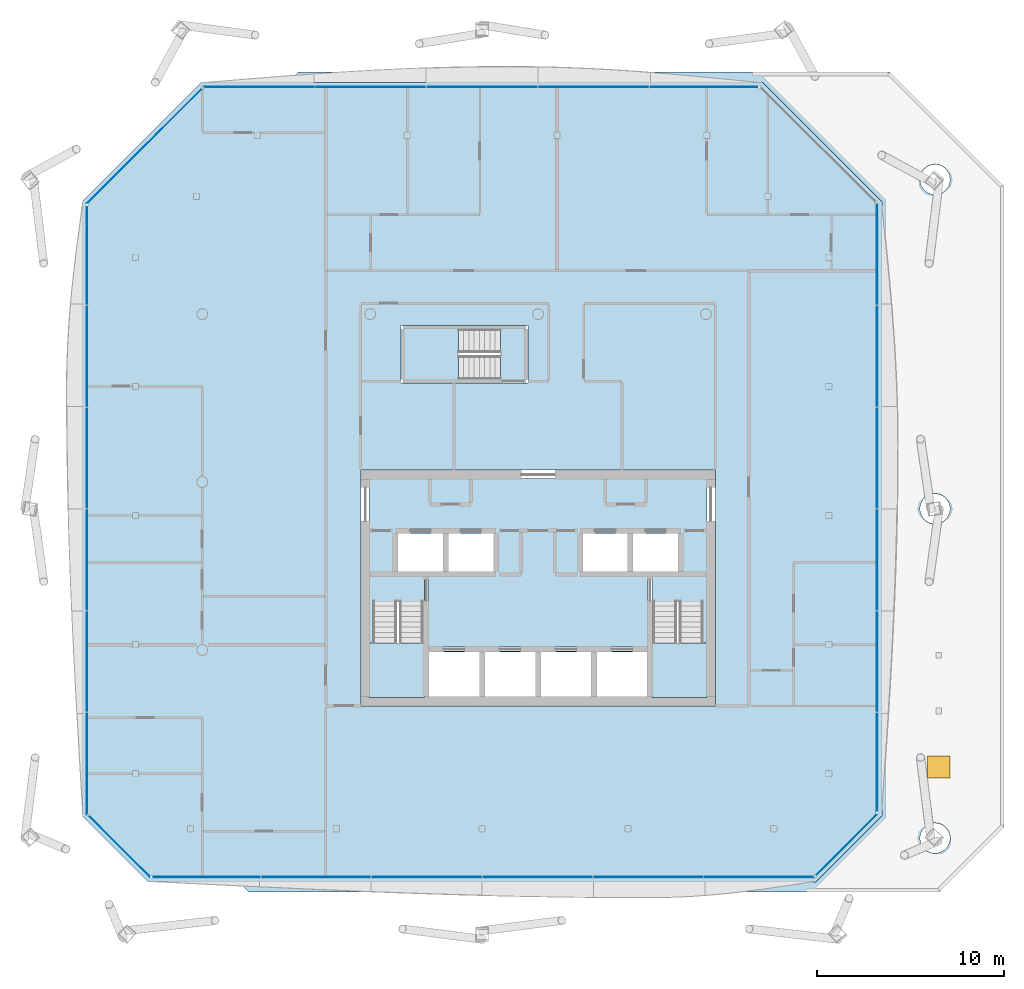
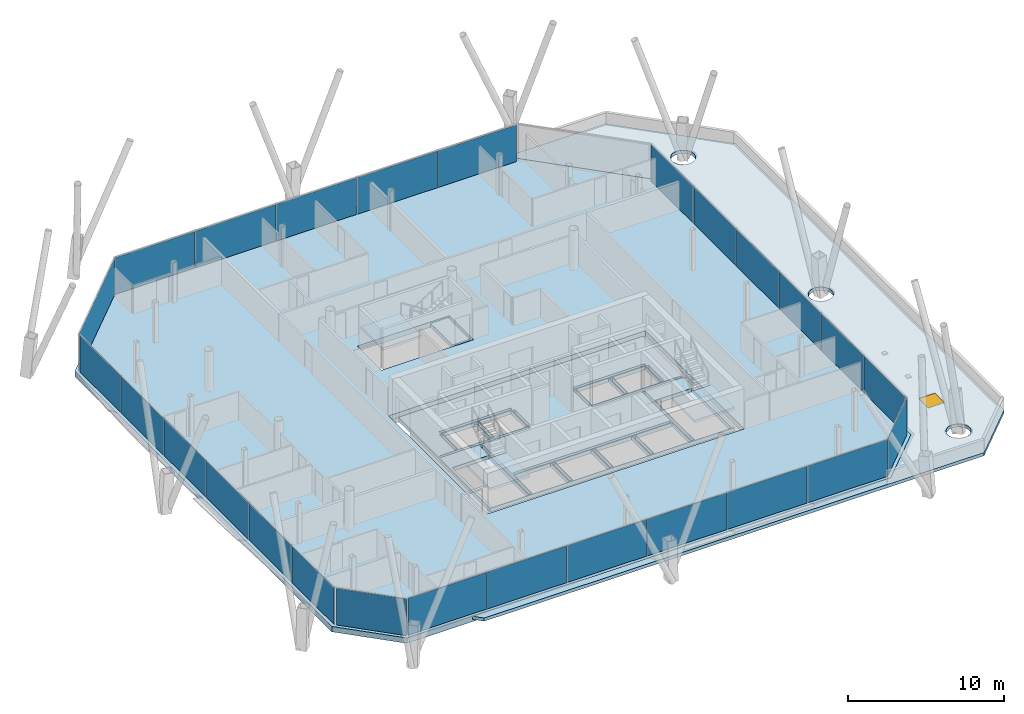
# One storey, part 12 of 21: 26 plates, 7 slabs, 1 window, 1 opening, 10 elements without a shape of their own.
"""IFC4 building model written with IfcOpenShell, lengths in metres."""

from ifc_helpers import new_model, si_unit, direction, frame, origin, origin_2d, place, context, subcontext, project, spatial, polyline, rectangle, outline, extrude, material, layer, layer_set, type_object, element, fill, aggregate, save


model = new_model("IFC4")

# Units and contexts
model_context = context("Model", 3, precision=1e-05, world=origin(), true_north=direction((0.0, 1.0)))
body_context = subcontext(model_context, "Body", "Model", "MODEL_VIEW")
ifc_project = project(units=[si_unit("LENGTHUNIT", "METRE"), si_unit("AREAUNIT", "SQUARE_METRE"), si_unit("VOLUMEUNIT", "CUBIC_METRE"), si_unit("PLANEANGLEUNIT", "RADIAN"), si_unit("MASSUNIT", "GRAM", prefix="KILO")], contexts=[model_context])

# Site, building, storey
site_placement = place(None, origin())
site = spatial("IfcSite", under=ifc_project, at=site_placement, CompositionType="ELEMENT")
building_placement = place(site_placement, origin())
building = spatial("IfcBuilding", under=site, at=building_placement, Name="Tskaro Facet Tower", CompositionType="ELEMENT")
storey_placement = place(building_placement, frame((0.0, 0.0, 172.199951171875)))
storey = spatial("IfcBuildingStorey", under=building, at=storey_placement, Name="L42", CompositionType="ELEMENT", Elevation=172.199951171875)

# Curtain wall, plates
ifc_material_1 = material(Name="Bronze anodised aluminium 6063-T6", Category="aluminium")
curtain_wall_type = type_object("IfcCurtainWallType", Name="Bronze residence curtain wall (FW3)", PredefinedType="NOTDEFINED", material=ifc_material_1)
curtain_wall_1_placement = place(storey_placement, origin())
curtain_wall_1 = element("IfcCurtainWall", 1, at=curtain_wall_1_placement, inside=storey, type_object=curtain_wall_type, Name="FW3 south facet L42", PredefinedType="NOTDEFINED")
ifc_material_2 = material(Name="Bronze low-iron glass", Category="glass")
ifc_layer_1 = layer(ifc_material_2, 0.028076171875, Name="Bronze low-iron glass")
ifc_layer_set_1 = layer_set([ifc_layer_1], Name="Bronze low-iron glass")
plate_type = type_object("IfcPlateType", Name="FW3 bronze-tinted unit glazing 28", PredefinedType="CURTAIN_PANEL", material=ifc_layer_set_1)
plate_1_placement = place(storey_placement, frame((-17.77587890625, -21.176025390625, 0.0), z_axis=(0.0, 0.0, 1.0), x_axis=(1.0, 0.0, 0.0)))
plate_1 = element("IfcPlate", 2, at=plate_1_placement, type_object=plate_type, Name="FW3 south glazing 1.1", PredefinedType="CURTAIN_PANEL", context=body_context, shape_type="SweptSolid", body=[
    extrude(rectangle(XDim=5.768310546875, YDim=0.028076171875, at=origin_2d()), origin(), (0.0, 0.0, 1.0), 2.860107421875),
])
plate_2_placement = place(storey_placement, frame((-11.89990234375, -21.176025390625, 0.0), z_axis=(0.0, 0.0, 1.0), x_axis=(1.0, 0.0, 0.0)))
plate_2 = element("IfcPlate", 3, at=plate_2_placement, type_object=plate_type, Name="FW3 south glazing 2.1", PredefinedType="CURTAIN_PANEL", context=body_context, shape_type="SweptSolid", body=[
    extrude(rectangle(XDim=5.88330078125, YDim=0.028076171875, at=origin_2d()), origin(), (0.0, 0.0, 1.0), 2.860107421875),
])
plate_3_placement = place(storey_placement, frame((-5.966552734375, -21.176025390625, 0.0), z_axis=(0.0, 0.0, 1.0), x_axis=(1.0, 0.0, 0.0)))
plate_3 = element("IfcPlate", 4, at=plate_3_placement, type_object=plate_type, Name="FW3 south glazing 3.1", PredefinedType="CURTAIN_PANEL", context=body_context, shape_type="SweptSolid", body=[
    extrude(rectangle(XDim=5.88330078125, YDim=0.028076171875, at=origin_2d()), origin(), (0.0, 0.0, 1.0), 2.860107421875),
])
plate_4_placement = place(storey_placement, frame((-0.033447265625, -21.176025390625, 0.0), z_axis=(0.0, 0.0, 1.0), x_axis=(1.0, 0.0, 0.0)))
plate_4 = element("IfcPlate", 5, at=plate_4_placement, type_object=plate_type, Name="FW3 south glazing 4.1", PredefinedType="CURTAIN_PANEL", context=body_context, shape_type="SweptSolid", body=[
    extrude(rectangle(XDim=5.88330078125, YDim=0.028076171875, at=origin_2d()), origin(), (0.0, 0.0, 1.0), 2.860107421875),
])
plate_5_placement = place(storey_placement, frame((5.89990234375, -21.176025390625, 0.0), z_axis=(0.0, 0.0, 1.0), x_axis=(1.0, 0.0, 0.0)))
plate_5 = element("IfcPlate", 6, at=plate_5_placement, type_object=plate_type, Name="FW3 south glazing 5.1", PredefinedType="CURTAIN_PANEL", context=body_context, shape_type="SweptSolid", body=[
    extrude(rectangle(XDim=5.88330078125, YDim=0.028076171875, at=origin_2d()), origin(), (0.0, 0.0, 1.0), 2.860107421875),
])
plate_6_placement = place(storey_placement, frame((11.845947265625, -21.176025390625, 0.0), z_axis=(0.0, 0.0, 1.0), x_axis=(1.0, 0.0, 0.0)))
plate_6 = element("IfcPlate", 7, at=plate_6_placement, type_object=plate_type, Name="FW3 south glazing 6.1", PredefinedType="CURTAIN_PANEL", context=body_context, shape_type="SweptSolid", body=[
    extrude(rectangle(XDim=5.908447265625, YDim=0.028076171875, at=origin_2d()), origin(), (0.0, 0.0, 1.0), 2.860107421875),
])
aggregate(curtain_wall_1, [plate_1, plate_2, plate_3, plate_4, plate_5, plate_6])

# Curtain wall, plate
curtain_wall_2_placement = place(storey_placement, origin())
curtain_wall_2 = element("IfcCurtainWall", 8, at=curtain_wall_2_placement, inside=storey, type_object=curtain_wall_type, Name="FW3 south-east facet L42", PredefinedType="NOTDEFINED")
plate_7_placement = place(storey_placement, frame((16.53759765625, -19.4384765625, 0.0), z_axis=(0.0, 0.0, 1.0), x_axis=(0.707106781187, 0.707106781187, 0.0)))
plate_7 = element("IfcPlate", 9, at=plate_7_placement, type_object=plate_type, Name="FW3 south-east glazing 1.1", PredefinedType="CURTAIN_PANEL", context=body_context, shape_type="SweptSolid", body=[
    extrude(rectangle(XDim=4.63427734375, YDim=0.028076171875, at=origin_2d()), origin(), (0.0, 0.0, 1.0), 2.860107421875),
])
aggregate(curtain_wall_2, [plate_7])

# Curtain wall, plates
curtain_wall_3_placement = place(storey_placement, origin())
curtain_wall_3 = element("IfcCurtainWall", 10, at=curtain_wall_3_placement, inside=storey, type_object=curtain_wall_type, Name="FW3 east facet L42", PredefinedType="NOTDEFINED")
plate_8_placement = place(storey_placement, frame((18.176025390625, -15.014892578125, 0.0), z_axis=(0.0, 0.0, 1.0), x_axis=(0.0, 1.0, 0.0)))
plate_8 = element("IfcPlate", 11, at=plate_8_placement, type_object=plate_type, Name="FW3 east glazing 1.1", PredefinedType="CURTAIN_PANEL", context=body_context, shape_type="SweptSolid", body=[
    extrude(rectangle(XDim=5.290283203125, YDim=0.028076171875, at=origin_2d()), origin(), (0.0, 0.0, 1.0), 2.860107421875),
])
plate_9_placement = place(storey_placement, frame((18.176025390625, -9.6171875, 0.0), z_axis=(0.0, 0.0, 1.0), x_axis=(0.0, 1.0, 0.0)))
plate_9 = element("IfcPlate", 12, at=plate_9_placement, type_object=plate_type, Name="FW3 east glazing 2.1", PredefinedType="CURTAIN_PANEL", context=body_context, shape_type="SweptSolid", body=[
    extrude(rectangle(XDim=5.4052734375, YDim=0.028076171875, at=origin_2d()), origin(), (0.0, 0.0, 1.0), 2.860107421875),
])
plate_10_placement = place(storey_placement, frame((18.176025390625, -4.162109375, 0.0), z_axis=(0.0, 0.0, 1.0), x_axis=(0.0, 1.0, 0.0)))
plate_10 = element("IfcPlate", 13, at=plate_10_placement, type_object=plate_type, Name="FW3 east glazing 3.1", PredefinedType="CURTAIN_PANEL", context=body_context, shape_type="SweptSolid", body=[
    extrude(rectangle(XDim=5.4052734375, YDim=0.028076171875, at=origin_2d()), origin(), (0.0, 0.0, 1.0), 2.860107421875),
])
plate_11_placement = place(storey_placement, frame((18.176025390625, 1.29296875, 0.0), z_axis=(0.0, 0.0, 1.0), x_axis=(0.0, 1.0, 0.0)))
plate_11 = element("IfcPlate", 14, at=plate_11_placement, type_object=plate_type, Name="FW3 east glazing 4.1", PredefinedType="CURTAIN_PANEL", context=body_context, shape_type="SweptSolid", body=[
    extrude(rectangle(XDim=5.4052734375, YDim=0.028076171875, at=origin_2d()), origin(), (0.0, 0.0, 1.0), 2.860107421875),
])
plate_12_placement = place(storey_placement, frame((18.176025390625, 6.748291015625, 0.0), z_axis=(0.0, 0.0, 1.0), x_axis=(0.0, 1.0, 0.0)))
plate_12 = element("IfcPlate", 15, at=plate_12_placement, type_object=plate_type, Name="FW3 east glazing 5.1", PredefinedType="CURTAIN_PANEL", context=body_context, shape_type="SweptSolid", body=[
    extrude(rectangle(XDim=5.4052734375, YDim=0.028076171875, at=origin_2d()), origin(), (0.0, 0.0, 1.0), 2.860107421875),
])
plate_13_placement = place(storey_placement, frame((18.176025390625, 12.2158203125, 0.0), z_axis=(0.0, 0.0, 1.0), x_axis=(0.0, 1.0, 0.0)))
plate_13 = element("IfcPlate", 16, at=plate_13_placement, type_object=plate_type, Name="FW3 east glazing 6.1", PredefinedType="CURTAIN_PANEL", context=body_context, shape_type="SweptSolid", body=[
    extrude(rectangle(XDim=5.43017578125, YDim=0.028076171875, at=origin_2d()), origin(), (0.0, 0.0, 1.0), 2.860107421875),
])
aggregate(curtain_wall_3, [plate_8, plate_9, plate_10, plate_11, plate_12, plate_13])

curtain_wall_4_placement = place(storey_placement, origin())
curtain_wall_4 = element("IfcCurtainWall", 17, at=curtain_wall_4_placement, inside=storey, type_object=curtain_wall_type, Name="FW3 north facet L42", PredefinedType="NOTDEFINED")
plate_14_placement = place(storey_placement, frame((8.88720703125, 21.176025390625, 0.0), z_axis=(0.0, 0.0, 1.0), x_axis=(-1.0, 0.0, 0.0)))
plate_14 = element("IfcPlate", 18, at=plate_14_placement, type_object=plate_type, Name="FW3 north glazing 1.1", PredefinedType="CURTAIN_PANEL", context=body_context, shape_type="SweptSolid", body=[
    extrude(rectangle(XDim=5.807373046875, YDim=0.028076171875, at=origin_2d()), origin(), (0.0, 0.0, 1.0), 2.860107421875),
])
plate_15_placement = place(storey_placement, frame((2.972412109375, 21.176025390625, 0.0), z_axis=(0.0, 0.0, 1.0), x_axis=(-1.0, 0.0, 0.0)))
plate_15 = element("IfcPlate", 19, at=plate_15_placement, type_object=plate_type, Name="FW3 north glazing 2.1", PredefinedType="CURTAIN_PANEL", context=body_context, shape_type="SweptSolid", body=[
    extrude(rectangle(XDim=5.92236328125, YDim=0.028076171875, at=origin_2d()), origin(), (0.0, 0.0, 1.0), 2.860107421875),
])
plate_16_placement = place(storey_placement, frame((-3.0, 21.176025390625, 0.0), z_axis=(0.0, 0.0, 1.0), x_axis=(-1.0, 0.0, 0.0)))
plate_16 = element("IfcPlate", 20, at=plate_16_placement, type_object=plate_type, Name="FW3 north glazing 3.1", PredefinedType="CURTAIN_PANEL", context=body_context, shape_type="SweptSolid", body=[
    extrude(rectangle(XDim=5.92236328125, YDim=0.028076171875, at=origin_2d()), origin(), (0.0, 0.0, 1.0), 2.860107421875),
])
plate_17_placement = place(storey_placement, frame((-8.972412109375, 21.176025390625, 0.0), z_axis=(0.0, 0.0, 1.0), x_axis=(-1.0, 0.0, 0.0)))
plate_17 = element("IfcPlate", 21, at=plate_17_placement, type_object=plate_type, Name="FW3 north glazing 4.1", PredefinedType="CURTAIN_PANEL", context=body_context, shape_type="SweptSolid", body=[
    extrude(rectangle(XDim=5.92236328125, YDim=0.028076171875, at=origin_2d()), origin(), (0.0, 0.0, 1.0), 2.860107421875),
])
plate_18_placement = place(storey_placement, frame((-14.957275390625, 21.176025390625, 0.0), z_axis=(0.0, 0.0, 1.0), x_axis=(-1.0, 0.0, 0.0)))
plate_18 = element("IfcPlate", 22, at=plate_18_placement, type_object=plate_type, Name="FW3 north glazing 5.1", PredefinedType="CURTAIN_PANEL", context=body_context, shape_type="SweptSolid", body=[
    extrude(rectangle(XDim=5.947509765625, YDim=0.028076171875, at=origin_2d()), origin(), (0.0, 0.0, 1.0), 2.860107421875),
])
aggregate(curtain_wall_4, [plate_14, plate_15, plate_16, plate_17, plate_18])

# Curtain wall, plate
curtain_wall_5_placement = place(storey_placement, origin())
curtain_wall_5 = element("IfcCurtainWall", 23, at=curtain_wall_5_placement, inside=storey, type_object=curtain_wall_type, Name="FW3 north-west facet L42", PredefinedType="NOTDEFINED")
plate_19_placement = place(storey_placement, frame((-21.10302734375, 18.00390625, 0.0), z_axis=(0.0, 0.0, 1.0), x_axis=(-0.707106781187, -0.707106781187, 0.0)))
plate_19 = element("IfcPlate", 24, at=plate_19_placement, type_object=plate_type, Name="FW3 north-west glazing 1.1", PredefinedType="CURTAIN_PANEL", context=body_context, shape_type="SweptSolid", body=[
    extrude(rectangle(XDim=8.691650390625, YDim=0.028076171875, at=origin_2d()), origin(), (0.0, 0.0, 1.0), 2.860107421875),
])
aggregate(curtain_wall_5, [plate_19])

# Curtain wall, plates
curtain_wall_6_placement = place(storey_placement, origin())
curtain_wall_6 = element("IfcCurtainWall", 25, at=curtain_wall_6_placement, inside=storey, type_object=curtain_wall_type, Name="FW3 west facet L42", PredefinedType="NOTDEFINED")
plate_20_placement = place(storey_placement, frame((-24.176025390625, 12.14599609375, 0.0), z_axis=(0.0, 0.0, 1.0), x_axis=(0.0, -1.0, 0.0)))
plate_20 = element("IfcPlate", 26, at=plate_20_placement, type_object=plate_type, Name="FW3 west glazing 1.1", PredefinedType="CURTAIN_PANEL", context=body_context, shape_type="SweptSolid", body=[
    extrude(rectangle(XDim=5.290283203125, YDim=0.028076171875, at=origin_2d()), origin(), (0.0, 0.0, 1.0), 2.860107421875),
])
plate_21_placement = place(storey_placement, frame((-24.176025390625, 6.748291015625, 0.0), z_axis=(0.0, 0.0, 1.0), x_axis=(0.0, -1.0, 0.0)))
plate_21 = element("IfcPlate", 27, at=plate_21_placement, type_object=plate_type, Name="FW3 west glazing 2.1", PredefinedType="CURTAIN_PANEL", context=body_context, shape_type="SweptSolid", body=[
    extrude(rectangle(XDim=5.4052734375, YDim=0.028076171875, at=origin_2d()), origin(), (0.0, 0.0, 1.0), 2.860107421875),
])
plate_22_placement = place(storey_placement, frame((-24.176025390625, 1.29296875, 0.0), z_axis=(0.0, 0.0, 1.0), x_axis=(0.0, -1.0, 0.0)))
plate_22 = element("IfcPlate", 28, at=plate_22_placement, type_object=plate_type, Name="FW3 west glazing 3.1", PredefinedType="CURTAIN_PANEL", context=body_context, shape_type="SweptSolid", body=[
    extrude(rectangle(XDim=5.4052734375, YDim=0.028076171875, at=origin_2d()), origin(), (0.0, 0.0, 1.0), 2.860107421875),
])
plate_23_placement = place(storey_placement, frame((-24.176025390625, -4.162109375, 0.0), z_axis=(0.0, 0.0, 1.0), x_axis=(0.0, -1.0, 0.0)))
plate_23 = element("IfcPlate", 29, at=plate_23_placement, type_object=plate_type, Name="FW3 west glazing 4.1", PredefinedType="CURTAIN_PANEL", context=body_context, shape_type="SweptSolid", body=[
    extrude(rectangle(XDim=5.4052734375, YDim=0.028076171875, at=origin_2d()), origin(), (0.0, 0.0, 1.0), 2.860107421875),
])
plate_24_placement = place(storey_placement, frame((-24.176025390625, -9.6171875, 0.0), z_axis=(0.0, 0.0, 1.0), x_axis=(0.0, -1.0, 0.0)))
plate_24 = element("IfcPlate", 30, at=plate_24_placement, type_object=plate_type, Name="FW3 west glazing 5.1", PredefinedType="CURTAIN_PANEL", context=body_context, shape_type="SweptSolid", body=[
    extrude(rectangle(XDim=5.4052734375, YDim=0.028076171875, at=origin_2d()), origin(), (0.0, 0.0, 1.0), 2.860107421875),
])
plate_25_placement = place(storey_placement, frame((-24.176025390625, -15.0849609375, 0.0), z_axis=(0.0, 0.0, 1.0), x_axis=(0.0, -1.0, 0.0)))
plate_25 = element("IfcPlate", 31, at=plate_25_placement, type_object=plate_type, Name="FW3 west glazing 6.1", PredefinedType="CURTAIN_PANEL", context=body_context, shape_type="SweptSolid", body=[
    extrude(rectangle(XDim=5.43017578125, YDim=0.028076171875, at=origin_2d()), origin(), (0.0, 0.0, 1.0), 2.860107421875),
])
aggregate(curtain_wall_6, [plate_20, plate_21, plate_22, plate_23, plate_24, plate_25])

# Curtain wall, plate
curtain_wall_7_placement = place(storey_placement, origin())
curtain_wall_7 = element("IfcCurtainWall", 32, at=curtain_wall_7_placement, inside=storey, type_object=curtain_wall_type, Name="FW3 south-west facet L42", PredefinedType="NOTDEFINED")
plate_26_placement = place(storey_placement, frame((-22.4384765625, -19.53759765625, 0.0), z_axis=(0.0, 0.0, 1.0), x_axis=(0.707106781187, -0.707106781187, 0.0)))
plate_26 = element("IfcPlate", 33, at=plate_26_placement, type_object=plate_type, Name="FW3 south-west glazing 1.1", PredefinedType="CURTAIN_PANEL", context=body_context, shape_type="SweptSolid", body=[
    extrude(rectangle(XDim=4.63427734375, YDim=0.028076171875, at=origin_2d()), origin(), (0.0, 0.0, 1.0), 2.860107421875),
])
aggregate(curtain_wall_7, [plate_26])

# Stair, slab
ifc_material_3 = material(Name="Concrete C40/50", Category="concrete")
stair_type = type_object("IfcStairType", Name="ST-TWR", PredefinedType="HALF_TURN_STAIR", material=ifc_material_3)
stair_1_placement = place(storey_placement, origin())
stair_1 = element("IfcStair", 34, at=stair_1_placement, inside=storey, type_object=stair_type, Name="L42 Exit stair 1", PredefinedType="HALF_TURN_STAIR")
ifc_layer_2 = layer(ifc_material_3, 0.199951171875, Name="Concrete C40/50")
ifc_layer_set_2 = layer_set([ifc_layer_2], Name="Concrete C40/50")
slab_type_1 = type_object("IfcSlabType", Name="SL-LANDING", PredefinedType="LANDING", material=ifc_layer_set_2)
slab_1_placement = place(storey_placement, frame((0.0, 0.0, 1.375)))
slab_1 = element("IfcSlab", 35, at=slab_1_placement, type_object=slab_type_1, Name="ST-1 landing 1", PredefinedType="LANDING", context=body_context, shape_type="SweptSolid", body=[
    extrude(outline(polyline([(-9.050048828125, -11.550048828125), (-6.10009765625, -11.550048828125), (-6.10009765625, -8.614990234375), (-9.050048828125, -8.614990234375), (-9.050048828125, -11.550048828125)])), origin(), (0.0, 0.0, 1.0), 0.199951171875),
])
aggregate(stair_1, [slab_1])

stair_2_placement = place(storey_placement, origin())
stair_2 = element("IfcStair", 36, at=stair_2_placement, inside=storey, type_object=stair_type, Name="L42 Exit stair 2", PredefinedType="HALF_TURN_STAIR")
slab_2_placement = place(storey_placement, frame((0.0, 0.0, 1.375)))
slab_2 = element("IfcSlab", 37, at=slab_2_placement, type_object=slab_type_1, Name="ST-2 landing 1", PredefinedType="LANDING", context=body_context, shape_type="SweptSolid", body=[
    extrude(outline(polyline([(6.10009765625, -11.550048828125), (9.050048828125, -11.550048828125), (9.050048828125, -8.614990234375), (6.10009765625, -8.614990234375), (6.10009765625, -11.550048828125)])), origin(), (0.0, 0.0, 1.0), 0.199951171875),
])
aggregate(stair_2, [slab_2])

stair_3_placement = place(storey_placement, origin())
stair_3 = element("IfcStair", 38, at=stair_3_placement, inside=storey, type_object=stair_type, Name="L42 Exit stair 3", PredefinedType="HALF_TURN_STAIR")
slab_3_placement = place(storey_placement, frame((0.0, 0.0, 1.375)))
slab_3 = element("IfcSlab", 39, at=slab_3_placement, type_object=slab_type_1, Name="ST-3 landing 1", PredefinedType="LANDING", context=body_context, shape_type="SweptSolid", body=[
    extrude(outline(polyline([(-7.199951171875, 5.449951171875), (-4.264892578125, 5.449951171875), (-4.264892578125, 8.25), (-7.199951171875, 8.25), (-7.199951171875, 5.449951171875)])), origin(), (0.0, 0.0, 1.0), 0.199951171875),
])
aggregate(stair_3, [slab_3])

# Slabs
ifc_material_4 = material(Name="Concrete C60/75", Category="concrete")
ifc_layer_3 = layer(ifc_material_4, 0.300048828125, Name="Concrete C60/75")
ifc_layer_set_3 = layer_set([ifc_layer_3], Name="Concrete C60/75")
slab_type_2 = type_object("IfcSlabType", Name="SLAB-CORE", PredefinedType="FLOOR", material=ifc_layer_set_3)
slab_4_placement = place(storey_placement, frame((0.0, 0.0, -0.300048828125)))
element("IfcSlab", 40, at=slab_4_placement, inside=storey, type_object=slab_type_2, Name="Core floor slab 1", PredefinedType="FLOOR", context=body_context, shape_type="SweptSolid", body=[
    extrude(outline(polyline([(-9.050048828125, 0.199951171875), (9.050048828125, 0.199951171875), (9.050048828125, 0.10009765625), (9.050048828125, -11.449951171875), (9.050048828125, -11.550048828125), (-9.050048828125, -11.550048828125), (-9.050048828125, -11.449951171875), (-9.050048828125, 0.10009765625), (-9.050048828125, 0.199951171875)]), holes=[polyline([(-5.85009765625, -9.10009765625), (-5.85009765625, -11.5), (-3.14990234375, -11.5), (-3.14990234375, -9.10009765625), (-5.85009765625, -9.10009765625)]), polyline([(-3.10009765625, -11.449951171875), (-2.89990234375, -11.449951171875), (-2.89990234375, -9.14990234375), (-3.10009765625, -9.14990234375), (-3.10009765625, -11.449951171875)]), polyline([(-2.85009765625, -9.10009765625), (-2.85009765625, -11.5), (-0.14990234375, -11.5), (-0.14990234375, -9.10009765625), (-2.85009765625, -9.10009765625)]), polyline([(-6.10009765625, -11.449951171875), (-5.89990234375, -11.449951171875), (-5.89990234375, -5.14990234375), (-6.10009765625, -5.14990234375), (-6.10009765625, -11.449951171875)]), polyline([(-8.949951171875, -5.050048828125), (-2.300048828125, -5.050048828125), (-2.300048828125, -4.85009765625), (-8.949951171875, -4.85009765625), (-8.949951171875, -5.050048828125)]), polyline([(-7.75, -4.75), (-7.550048828125, -4.75), (-7.550048828125, -2.800048828125), (-7.75, -2.800048828125), (-7.75, -4.75)]), polyline([(-5.10009765625, -2.75), (-7.5, -2.75), (-7.5, -4.800048828125), (-5.10009765625, -4.800048828125), (-5.10009765625, -2.75)]), polyline([(-5.050048828125, -4.75), (-4.85009765625, -4.75), (-4.85009765625, -2.800048828125), (-5.050048828125, -2.800048828125), (-5.050048828125, -4.75)]), polyline([(-2.39990234375, -2.75), (-4.800048828125, -2.75), (-4.800048828125, -4.800048828125), (-2.39990234375, -4.800048828125), (-2.39990234375, -2.75)]), polyline([(-2.35009765625, -4.75), (-2.14990234375, -4.75), (-2.14990234375, -2.800048828125), (-2.35009765625, -2.800048828125), (-2.35009765625, -4.75)]), polyline([(-7.60009765625, -2.699951171875), (-2.300048828125, -2.699951171875), (-2.300048828125, -2.5), (-7.60009765625, -2.5), (-7.60009765625, -2.699951171875)]), polyline([(-0.10009765625, -11.449951171875), (0.10009765625, -11.449951171875), (0.10009765625, -9.14990234375), (-0.10009765625, -9.14990234375), (-0.10009765625, -11.449951171875)]), polyline([(0.14990234375, -9.10009765625), (0.14990234375, -11.5), (2.85009765625, -11.5), (2.85009765625, -9.10009765625), (0.14990234375, -9.10009765625)]), polyline([(2.89990234375, -11.449951171875), (3.10009765625, -11.449951171875), (3.10009765625, -9.14990234375), (2.89990234375, -9.14990234375), (2.89990234375, -11.449951171875)]), polyline([(3.14990234375, -9.10009765625), (3.14990234375, -11.5), (5.85009765625, -11.5), (5.85009765625, -9.10009765625), (3.14990234375, -9.10009765625)]), polyline([(-5.800048828125, -9.050048828125), (5.800048828125, -9.050048828125), (5.800048828125, -8.85009765625), (-5.800048828125, -8.85009765625), (-5.800048828125, -9.050048828125)]), polyline([(5.89990234375, -11.449951171875), (6.10009765625, -11.449951171875), (6.10009765625, -5.14990234375), (5.89990234375, -5.14990234375), (5.89990234375, -11.449951171875)]), polyline([(2.300048828125, -5.050048828125), (8.949951171875, -5.050048828125), (8.949951171875, -4.85009765625), (2.300048828125, -4.85009765625), (2.300048828125, -5.050048828125)]), polyline([(2.14990234375, -4.75), (2.35009765625, -4.75), (2.35009765625, -2.800048828125), (2.14990234375, -2.800048828125), (2.14990234375, -4.75)]), polyline([(2.39990234375, -2.75), (2.39990234375, -4.800048828125), (4.800048828125, -4.800048828125), (4.800048828125, -2.75), (2.39990234375, -2.75)]), polyline([(4.85009765625, -4.75), (5.050048828125, -4.75), (5.050048828125, -2.800048828125), (4.85009765625, -2.800048828125), (4.85009765625, -4.75)]), polyline([(7.5, -2.75), (5.10009765625, -2.75), (5.10009765625, -4.800048828125), (7.5, -4.800048828125), (7.5, -2.75)]), polyline([(7.550048828125, -4.75), (7.75, -4.75), (7.75, -2.800048828125), (7.550048828125, -2.800048828125), (7.550048828125, -4.75)]), polyline([(2.300048828125, -2.699951171875), (7.60009765625, -2.699951171875), (7.60009765625, -2.5), (2.300048828125, -2.5), (2.300048828125, -2.699951171875)]), polyline([(-8.85009765625, -11.5), (-6.14990234375, -11.5), (-6.14990234375, -6.39501953125), (-8.85009765625, -6.39501953125), (-8.85009765625, -11.5)]), polyline([(6.14990234375, -6.39501953125), (6.14990234375, -11.5), (8.85009765625, -11.5), (8.85009765625, -6.39501953125), (6.14990234375, -6.39501953125)])]), origin(), (0.0, 0.0, 1.0), 0.300048828125),
])
slab_5_placement = place(storey_placement, frame((0.0, 0.0, -0.300048828125)))
element("IfcSlab", 41, at=slab_5_placement, inside=storey, type_object=slab_type_2, Name="Stair 3 floor landing 1", PredefinedType="FLOOR", context=body_context, shape_type="SweptSolid", body=[
    extrude(outline(polyline([(-2.02490234375, 5.449951171875), (-0.699951171875, 5.449951171875), (-0.699951171875, 8.25), (-2.02490234375, 8.25), (-2.02490234375, 5.449951171875)])), origin(), (0.0, 0.0, 1.0), 0.300048828125),
])
ifc_layer_4 = layer(ifc_material_3, 0.419921875, Name="Concrete C40/50")
ifc_layer_set_4 = layer_set([ifc_layer_4], Name="Concrete C40/50")
slab_type_3 = type_object("IfcSlabType", Name="Transfer floor slab", PredefinedType="FLOOR", material=ifc_layer_set_4)
slab_6_placement = place(storey_placement, frame((0.0, 0.0, -0.419921875)))
element("IfcSlab", 42, at=slab_6_placement, inside=storey, type_object=slab_type_3, Name="Floor slab FS7 L42", PredefinedType="FLOOR", context=body_context, shape_type="SweptSolid", body=[
    extrude(outline(polyline([(-20.904052734375, -21.426025390625), (14.904052734375, -21.426025390625), (18.426025390625, -17.904052734375), (18.426025390625, 15.034912109375), (12.034912109375, 21.426025390625), (-18.034912109375, 21.426025390625), (-24.426025390625, 15.034912109375), (-24.426025390625, -17.904052734375), (-20.904052734375, -21.426025390625)]), holes=[polyline([(-9.5, -12.0), (9.5, -12.0), (9.5, 0.64990234375), (-9.5, 0.64990234375), (-9.5, -12.0)]), polyline([(-7.35009765625, 5.300048828125), (-0.550048828125, 5.300048828125), (-0.550048828125, 8.39990234375), (-7.35009765625, 8.39990234375), (-7.35009765625, 5.300048828125)])]), origin(), (0.0, 0.0, 1.0), 0.419921875),
])

# Slab, opening, window
ifc_material_5 = material(Name="Concrete C35/45", Category="concrete")
ifc_layer_5 = layer(ifc_material_5, 0.25, Name="Concrete C35/45")
ifc_layer_set_5 = layer_set([ifc_layer_5], Name="Concrete C35/45")
slab_type_4 = type_object("IfcSlabType", Name="Transition roof slab", PredefinedType="ROOF", material=ifc_layer_set_5)
slab_7_placement = place(storey_placement, frame((0.0, 0.0, -0.25)))
slab_7 = element("IfcSlab", 43, at=slab_7_placement, inside=storey, type_object=slab_type_4, Name="Roof slab FS6 L41", PredefinedType="ROOF", context=body_context, shape_type="SweptSolid", body=[
    extrude(outline(polyline([(18.864990234375, 21.97412109375), (24.97412109375, 15.864990234375), (24.97412109375, -18.49609375), (21.49609375, -21.97412109375), (-15.49609375, -21.97412109375), (-16.0439453125, -21.426025390625), (14.904052734375, -21.426025390625), (18.426025390625, -17.904052734375), (18.426025390625, 15.034912109375), (12.034912109375, 21.426025390625), (-13.4130859375, 21.426025390625), (-12.864990234375, 21.97412109375), (18.864990234375, 21.97412109375)]), holes=[polyline([(22.0419921875, -19.31689453125), (22.06103515625, -19.240966796875), (22.072021484375, -19.1630859375), (22.075927734375, -19.0849609375), (22.072021484375, -19.007080078125), (22.06103515625, -18.928955078125), (22.0419921875, -18.85302734375), (22.014892578125, -18.779052734375), (21.98193359375, -18.7080078125), (21.94091796875, -18.64111328125), (21.89404296875, -18.576904296875), (21.842041015625, -18.51904296875), (21.783935546875, -18.467041015625), (21.719970703125, -18.419921875), (21.653076171875, -18.37890625), (21.58203125, -18.345947265625), (21.508056640625, -18.319091796875), (21.431884765625, -18.300048828125), (21.35400390625, -18.2890625), (21.27587890625, -18.284912109375), (21.197998046875, -18.2890625), (21.1201171875, -18.300048828125), (21.0439453125, -18.319091796875), (20.969970703125, -18.345947265625), (20.89892578125, -18.37890625), (20.83203125, -18.419921875), (20.76806640625, -18.467041015625), (20.7099609375, -18.51904296875), (20.657958984375, -18.576904296875), (20.611083984375, -18.64111328125), (20.570068359375, -18.7080078125), (20.537109375, -18.779052734375), (20.510009765625, -18.85302734375), (20.490966796875, -18.928955078125), (20.47998046875, -19.007080078125), (20.47607421875, -19.0849609375), (20.47998046875, -19.1630859375), (20.490966796875, -19.240966796875), (20.510009765625, -19.31689453125), (20.537109375, -19.39111328125), (20.570068359375, -19.4619140625), (20.611083984375, -19.529052734375), (20.657958984375, -19.593017578125), (20.7099609375, -19.65087890625), (20.76806640625, -19.702880859375), (20.83203125, -19.75), (20.89892578125, -19.791015625), (20.969970703125, -19.823974609375), (21.0439453125, -19.85107421875), (21.1201171875, -19.8701171875), (21.197998046875, -19.881103515625), (21.27587890625, -19.885009765625), (21.35400390625, -19.881103515625), (21.431884765625, -19.8701171875), (21.508056640625, -19.85107421875), (21.58203125, -19.823974609375), (21.653076171875, -19.791015625), (21.719970703125, -19.75), (21.783935546875, -19.702880859375), (21.842041015625, -19.65087890625), (21.89404296875, -19.593017578125), (21.94091796875, -19.529052734375), (21.98193359375, -19.4619140625), (22.014892578125, -19.39111328125), (22.0419921875, -19.31689453125)]), polyline([(22.0419921875, -1.666015625), (22.06103515625, -1.590087890625), (22.072021484375, -1.511962890625), (22.075927734375, -1.43408203125), (22.072021484375, -1.35595703125), (22.06103515625, -1.278076171875), (22.0419921875, -1.201904296875), (22.014892578125, -1.1279296875), (21.98193359375, -1.056884765625), (21.94091796875, -0.989990234375), (21.89404296875, -0.926025390625), (21.842041015625, -0.867919921875), (21.783935546875, -0.81591796875), (21.719970703125, -0.76904296875), (21.653076171875, -0.72802734375), (21.58203125, -0.695068359375), (21.508056640625, -0.66796875), (21.431884765625, -0.64892578125), (21.35400390625, -0.637939453125), (21.27587890625, -0.634033203125), (21.197998046875, -0.637939453125), (21.1201171875, -0.64892578125), (21.0439453125, -0.66796875), (20.969970703125, -0.695068359375), (20.89892578125, -0.72802734375), (20.83203125, -0.76904296875), (20.76806640625, -0.81591796875), (20.7099609375, -0.867919921875), (20.657958984375, -0.926025390625), (20.611083984375, -0.989990234375), (20.570068359375, -1.056884765625), (20.537109375, -1.1279296875), (20.510009765625, -1.201904296875), (20.490966796875, -1.278076171875), (20.47998046875, -1.35595703125), (20.47607421875, -1.43408203125), (20.47998046875, -1.511962890625), (20.490966796875, -1.590087890625), (20.510009765625, -1.666015625), (20.537109375, -1.739990234375), (20.570068359375, -1.81103515625), (20.611083984375, -1.8779296875), (20.657958984375, -1.94189453125), (20.7099609375, -2.0), (20.76806640625, -2.052001953125), (20.83203125, -2.09912109375), (20.89892578125, -2.139892578125), (20.969970703125, -2.173095703125), (21.0439453125, -2.199951171875), (21.1201171875, -2.218994140625), (21.197998046875, -2.22998046875), (21.27587890625, -2.23388671875), (21.35400390625, -2.22998046875), (21.431884765625, -2.218994140625), (21.508056640625, -2.199951171875), (21.58203125, -2.173095703125), (21.653076171875, -2.139892578125), (21.719970703125, -2.09912109375), (21.783935546875, -2.052001953125), (21.842041015625, -2.0), (21.89404296875, -1.94189453125), (21.94091796875, -1.8779296875), (21.98193359375, -1.81103515625), (22.014892578125, -1.739990234375), (22.0419921875, -1.666015625)]), polyline([(22.06103515625, 16.06005859375), (22.072021484375, 16.137939453125), (22.075927734375, 16.216064453125), (22.072021484375, 16.2939453125), (22.06103515625, 16.3720703125), (22.0419921875, 16.447998046875), (22.014892578125, 16.52197265625), (21.98193359375, 16.593017578125), (21.94091796875, 16.659912109375), (21.89404296875, 16.72412109375), (21.842041015625, 16.781982421875), (21.783935546875, 16.833984375), (21.719970703125, 16.881103515625), (21.653076171875, 16.922119140625), (21.58203125, 16.955078125), (21.508056640625, 16.98193359375), (21.431884765625, 17.0009765625), (21.35400390625, 17.011962890625), (21.27587890625, 17.01611328125), (21.197998046875, 17.011962890625), (21.1201171875, 17.0009765625), (21.0439453125, 16.98193359375), (20.969970703125, 16.955078125), (20.89892578125, 16.922119140625), (20.83203125, 16.881103515625), (20.76806640625, 16.833984375), (20.7099609375, 16.781982421875), (20.657958984375, 16.72412109375), (20.611083984375, 16.659912109375), (20.570068359375, 16.593017578125), (20.537109375, 16.52197265625), (20.510009765625, 16.447998046875), (20.490966796875, 16.3720703125), (20.47998046875, 16.2939453125), (20.47607421875, 16.216064453125), (20.47998046875, 16.137939453125), (20.490966796875, 16.06005859375), (20.510009765625, 15.98388671875), (20.537109375, 15.909912109375), (20.570068359375, 15.839111328125), (20.611083984375, 15.77197265625), (20.657958984375, 15.7080078125), (20.7099609375, 15.64990234375), (20.76806640625, 15.597900390625), (20.83203125, 15.551025390625), (20.89892578125, 15.510009765625), (20.969970703125, 15.47705078125), (21.0439453125, 15.449951171875), (21.1201171875, 15.430908203125), (21.197998046875, 15.419921875), (21.27587890625, 15.416015625), (21.35400390625, 15.419921875), (21.431884765625, 15.430908203125), (21.508056640625, 15.449951171875), (21.58203125, 15.47705078125), (21.653076171875, 15.510009765625), (21.719970703125, 15.551025390625), (21.783935546875, 15.597900390625), (21.842041015625, 15.64990234375), (21.89404296875, 15.7080078125), (21.94091796875, 15.77197265625), (21.98193359375, 15.839111328125), (22.014892578125, 15.909912109375), (22.0419921875, 15.98388671875), (22.06103515625, 16.06005859375)])]), origin(), (0.0, 0.0, 1.0), 0.25),
])
opening_placement = place(slab_7_placement, frame((21.469970703125, -15.27392578125, 0.0)))
opening = element("IfcOpeningElement", 44, at=opening_placement, cuts=slab_7, Name="Opening RH1", PredefinedType="OPENING", context=body_context, shape_type="SweptSolid", body=[
    extrude(rectangle(XDim=1.199951171875, YDim=1.199951171875, at=origin_2d()), frame((0.0, 0.0, -0.010009765625)), (0.0, 0.0, 1.0), 0.27001953125),
])
window_type = type_object("IfcWindowType", Name="Roof access hatch 1200x1200", PartitioningType="SINGLE_PANEL", PredefinedType="SKYLIGHT", material=ifc_material_1)
window_placement = place(opening_placement, frame((0.0, 0.0, 0.199951171875)))
window = element("IfcWindow", 45, at=window_placement, inside=storey, type_object=window_type, Name="Roof access hatch L42 1", OverallHeight=1.199951171875, OverallWidth=1.199951171875, PartitioningType="SINGLE_PANEL", PredefinedType="SKYLIGHT", context=body_context, shape_type="SweptSolid", body=[
    extrude(rectangle(XDim=1.199951171875, YDim=1.199951171875, at=origin_2d()), origin(), (0.0, 0.0, 1.0), 0.050048828125),
])
fill(opening, window)

save(model, "model.ifc")
